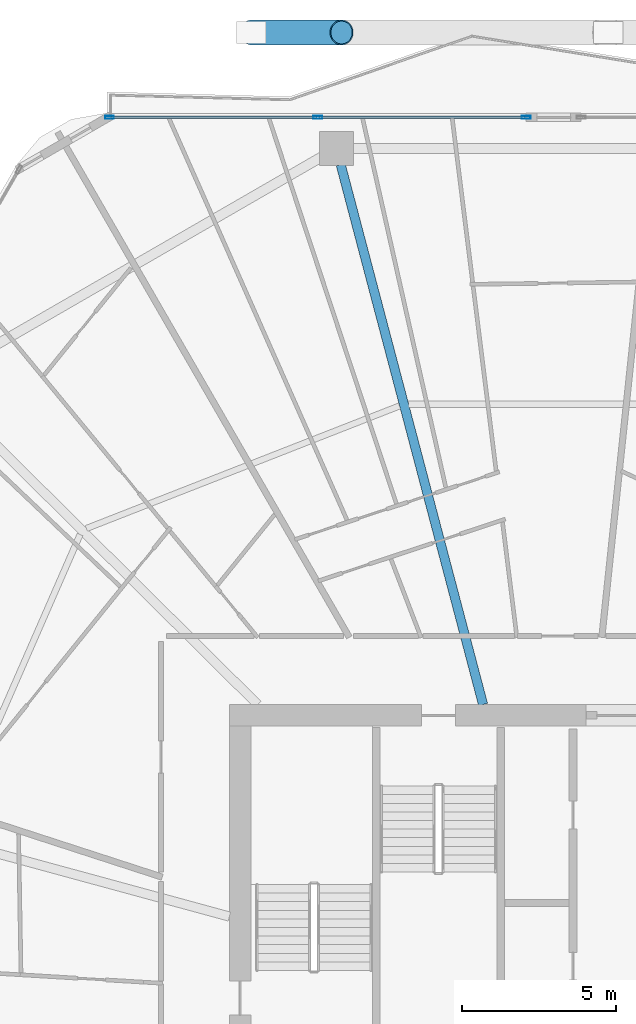
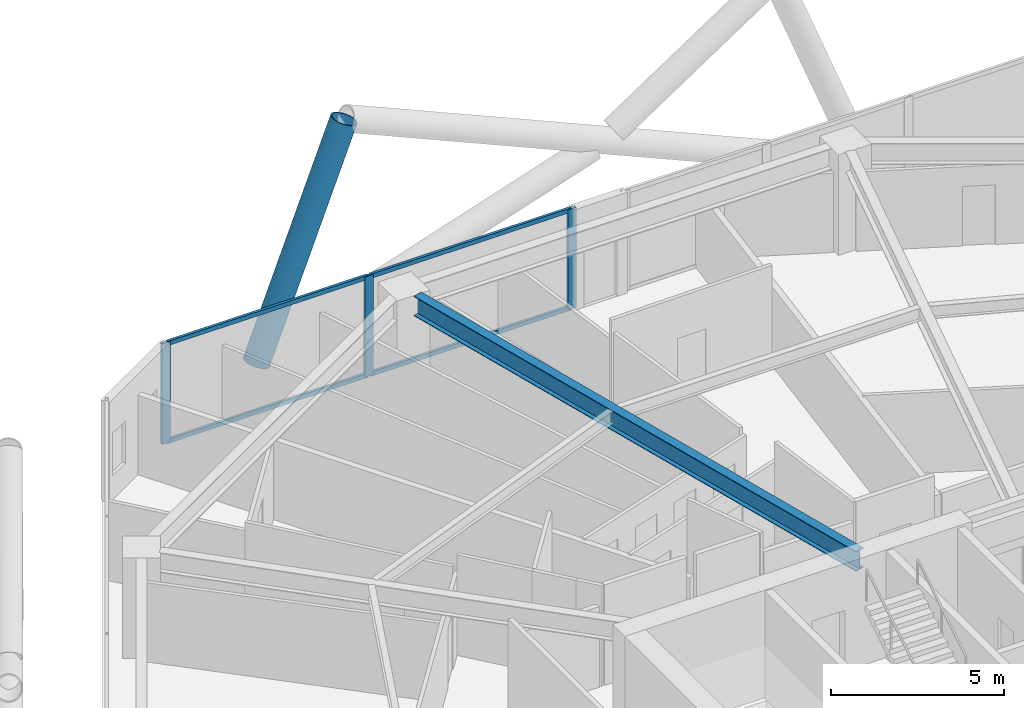
# One storey, part 19 of 35: 8 members, 1 beam, 1 element without a shape of its own.
"""IFC4 building model written with IfcOpenShell, lengths in metres."""

from ifc_helpers import new_model, si_unit, direction, frame, origin, origin_2d, place, context, subcontext, project, spatial, hollow_rectangle, hollow_circle, i_section, extrude, material, material_profile, profile_set, type_object, element, aggregate, save


model = new_model("IFC4")

# Units and contexts
model_context = context("Model", 3, precision=1e-05, world=origin(), true_north=direction((0.0, 1.0)))
body_context = subcontext(model_context, "Body", "Model", "MODEL_VIEW")
ifc_project = project(units=[si_unit("LENGTHUNIT", "METRE"), si_unit("AREAUNIT", "SQUARE_METRE"), si_unit("VOLUMEUNIT", "CUBIC_METRE"), si_unit("PLANEANGLEUNIT", "RADIAN"), si_unit("MASSUNIT", "GRAM", prefix="KILO")], contexts=[model_context])

# Site, building, storey
site_placement = place(None, origin())
site = spatial("IfcSite", under=ifc_project, at=site_placement, CompositionType="ELEMENT")
building_placement = place(site_placement, origin())
building = spatial("IfcBuilding", under=site, at=building_placement, Name="Zuhravey Tower", CompositionType="ELEMENT")
storey_placement = place(building_placement, frame((0.0, 0.0, 92.39990234375)))
storey = spatial("IfcBuildingStorey", under=building, at=storey_placement, Name="L22", CompositionType="ELEMENT", Elevation=92.39990234375)

# Curtain wall, members
ifc_material_1 = material(Name="Thermally broken anodised aluminium", Category="aluminium")
curtain_wall_type = type_object("IfcCurtainWallType", Name="Zone 1-2 Residential Curtain Wall CW3", PredefinedType="NOTDEFINED", material=ifc_material_1)
curtain_wall_placement = place(storey_placement, origin())
curtain_wall = element("IfcCurtainWall", 1, at=curtain_wall_placement, inside=storey, type_object=curtain_wall_type, Name="L22 CW3 CW-L22-F2-1", PredefinedType="NOTDEFINED")
ifc_material_2 = material(Name="Anodised aluminium", Category="aluminium")
ifc_material_profile_1 = material_profile(ifc_material_2, hollow_rectangle(XDim=0.090087890625, YDim=0.284912109375, WallThickness=0.0048828125, at=origin_2d()), Name="ALU-RHS-90x285x5")
ifc_profile_set_1 = profile_set([ifc_material_profile_1], Name="Anodised aluminium")
member_type_1 = type_object("IfcMemberType", Name="Curtain-Wall Mullion 90x180", PredefinedType="MULLION", material=ifc_profile_set_1)
member_1_placement = place(storey_placement, frame((21.24560546875, 60.95849609375, 0.0), z_axis=(0.0, 0.0, 1.0), x_axis=(0.0, 1.0, 0.0)))
member_1 = element("IfcMember", 2, at=member_1_placement, type_object=member_type_1, Name="CW3 mullion 1", PredefinedType="MULLION", context=body_context, shape_type="SweptSolid", body=[
    extrude(hollow_rectangle(XDim=0.090087890625, YDim=0.284912109375, WallThickness=0.0048828125, at=origin_2d()), origin(), (0.0, 0.0, 1.0), 3.550048828125),
])
member_2_placement = place(storey_placement, frame((28.0244140625, 60.95849609375, 0.0), z_axis=(0.0, 0.0, 1.0), x_axis=(0.0, 1.0, 0.0)))
member_2 = element("IfcMember", 3, at=member_2_placement, type_object=member_type_1, Name="CW3 mullion 2", PredefinedType="MULLION", context=body_context, shape_type="SweptSolid", body=[
    extrude(hollow_rectangle(XDim=0.090087890625, YDim=0.284912109375, WallThickness=0.0048828125, at=origin_2d()), origin(), (0.0, 0.0, 1.0), 3.550048828125),
])
member_3_placement = place(storey_placement, frame((34.803466796875, 60.95849609375, 0.0), z_axis=(0.0, 0.0, 1.0), x_axis=(0.0, 1.0, 0.0)))
member_3 = element("IfcMember", 4, at=member_3_placement, type_object=member_type_1, Name="CW3 mullion 3", PredefinedType="MULLION", context=body_context, shape_type="SweptSolid", body=[
    extrude(hollow_rectangle(XDim=0.090087890625, YDim=0.284912109375, WallThickness=0.0048828125, at=origin_2d()), origin(), (0.0, 0.0, 1.0), 3.550048828125),
])
ifc_material_profile_2 = material_profile(ifc_material_2, hollow_rectangle(XDim=0.090087890625, YDim=0.14990234375, WallThickness=0.0048828125, at=origin_2d()), Name="ALU-RHS-90x150x5")
ifc_profile_set_2 = profile_set([ifc_material_profile_2], Name="Anodised aluminium")
member_type_2 = type_object("IfcMemberType", Name="Curtain-Wall Transom 90x150", PredefinedType="USERDEFINED", material=ifc_profile_set_2)
member_4_placement = place(storey_placement, frame((21.29052734375, 60.95849609375, 0.045166015625), z_axis=(1.0, 0.0, 0.0), x_axis=(0.0, 1.0, 0.0)))
member_4 = element("IfcMember", 5, at=member_4_placement, type_object=member_type_2, Name="CW3 transom 1.1", ObjectType="TRANSOM", PredefinedType="USERDEFINED", context=body_context, shape_type="SweptSolid", body=[
    extrude(hollow_rectangle(XDim=0.090087890625, YDim=0.14990234375, WallThickness=0.0048828125, at=origin_2d()), origin(), (0.0, 0.0, 1.0), 6.68896484375),
])
member_5_placement = place(storey_placement, frame((21.29052734375, 60.95849609375, 3.505126953125), z_axis=(1.0, 0.0, 0.0), x_axis=(0.0, 1.0, 0.0)))
member_5 = element("IfcMember", 6, at=member_5_placement, type_object=member_type_2, Name="CW3 transom 1.2", ObjectType="TRANSOM", PredefinedType="USERDEFINED", context=body_context, shape_type="SweptSolid", body=[
    extrude(hollow_rectangle(XDim=0.090087890625, YDim=0.14990234375, WallThickness=0.0048828125, at=origin_2d()), origin(), (0.0, 0.0, 1.0), 6.68896484375),
])
member_6_placement = place(storey_placement, frame((28.0693359375, 60.95849609375, 0.045166015625), z_axis=(1.0, 0.0, 0.0), x_axis=(0.0, 1.0, 0.0)))
member_6 = element("IfcMember", 7, at=member_6_placement, type_object=member_type_2, Name="CW3 transom 2.1", ObjectType="TRANSOM", PredefinedType="USERDEFINED", context=body_context, shape_type="SweptSolid", body=[
    extrude(hollow_rectangle(XDim=0.090087890625, YDim=0.14990234375, WallThickness=0.0048828125, at=origin_2d()), origin(), (0.0, 0.0, 1.0), 6.68896484375),
])
member_7_placement = place(storey_placement, frame((28.0693359375, 60.95849609375, 3.505126953125), z_axis=(1.0, 0.0, 0.0), x_axis=(0.0, 1.0, 0.0)))
member_7 = element("IfcMember", 8, at=member_7_placement, type_object=member_type_2, Name="CW3 transom 2.2", ObjectType="TRANSOM", PredefinedType="USERDEFINED", context=body_context, shape_type="SweptSolid", body=[
    extrude(hollow_rectangle(XDim=0.090087890625, YDim=0.14990234375, WallThickness=0.0048828125, at=origin_2d()), origin(), (0.0, 0.0, 1.0), 6.68896484375),
])
aggregate(curtain_wall, [member_1, member_2, member_3, member_4, member_5, member_6, member_7])

# Member
ifc_material_3 = material(Name="Steel SM460", Category="steel")
ifc_material_profile_3 = material_profile(ifc_material_3, hollow_circle(Radius=0.406494140625, WallThickness=0.035888671875, at=origin_2d()), Name="CHS-812.8x36")
ifc_profile_set_3 = profile_set([ifc_material_profile_3], Name="Steel SM460")
member_type_3 = type_object("IfcMemberType", Name="Exoskeleton Zone 1 Diagrid CHS813x36", PredefinedType="BRACE", material=ifc_profile_set_3)
member_8_placement = place(storey_placement, frame((25.871826171875, 63.718505859375, -0.44189453125), z_axis=(0.361092156446, 0.0, 0.932530136003), x_axis=(0.0, 1.0, 0.0)))
element("IfcMember", 9, at=member_8_placement, inside=storey, type_object=member_type_3, Name="L22 Face 2 Diagrid Brace 4", PredefinedType="BRACE", context=body_context, shape_type="SweptSolid", body=[
    extrude(hollow_circle(Radius=0.406494140625, WallThickness=0.035888671875, at=origin_2d()), origin(), (0.0, 0.0, 1.0), 8.1025390625),
])

# Beam
ifc_material_4 = material(Name="Steel SM355", Category="steel")
ifc_material_profile_4 = material_profile(ifc_material_4, i_section(OverallWidth=0.300048828125, OverallDepth=0.699951171875, WebThickness=0.012939453125, FlangeThickness=0.02392578125, at=origin_2d()), Name="H-700x300x13x24")
ifc_profile_set_4 = profile_set([ifc_material_profile_4], Name="Steel SM355")
beam_type = type_object("IfcBeamType", Name="Radial Primary Girder H700x300", PredefinedType="BEAM", material=ifc_profile_set_4)
beam_placement = place(storey_placement, frame((33.40185546875, 41.85302734375, 3.2001953125), z_axis=(-0.25498755891, 0.966944333869, 0.0), x_axis=(-0.966944333869, -0.25498755891, 0.0)))
element("IfcBeam", 10, at=beam_placement, inside=storey, type_object=beam_type, Name="L22 RG1 BM-L22-RAD-04", PredefinedType="BEAM", context=body_context, shape_type="SweptSolid", body=[
    extrude(i_section(OverallWidth=0.300048828125, OverallDepth=0.699951171875, WebThickness=0.012939453125, FlangeThickness=0.02392578125, at=origin_2d()), origin(), (0.0, 0.0, 1.0), 18.1611328125),
])

save(model, "model.ifc")
